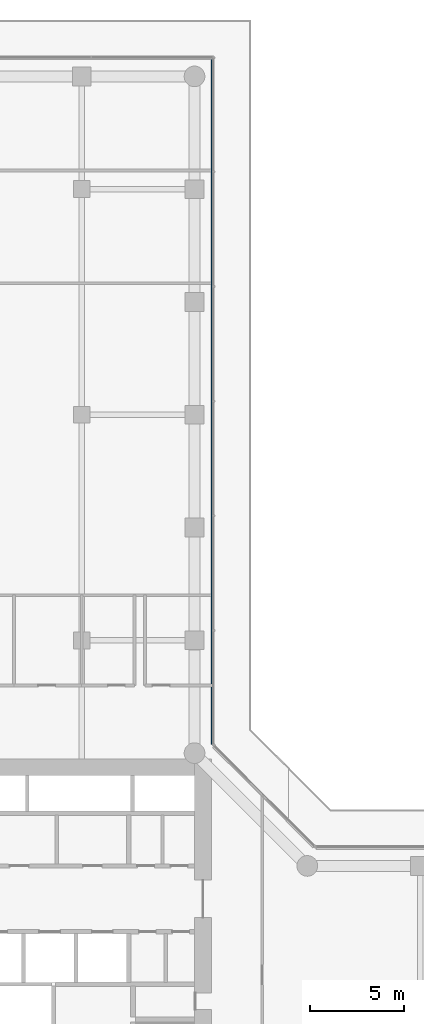
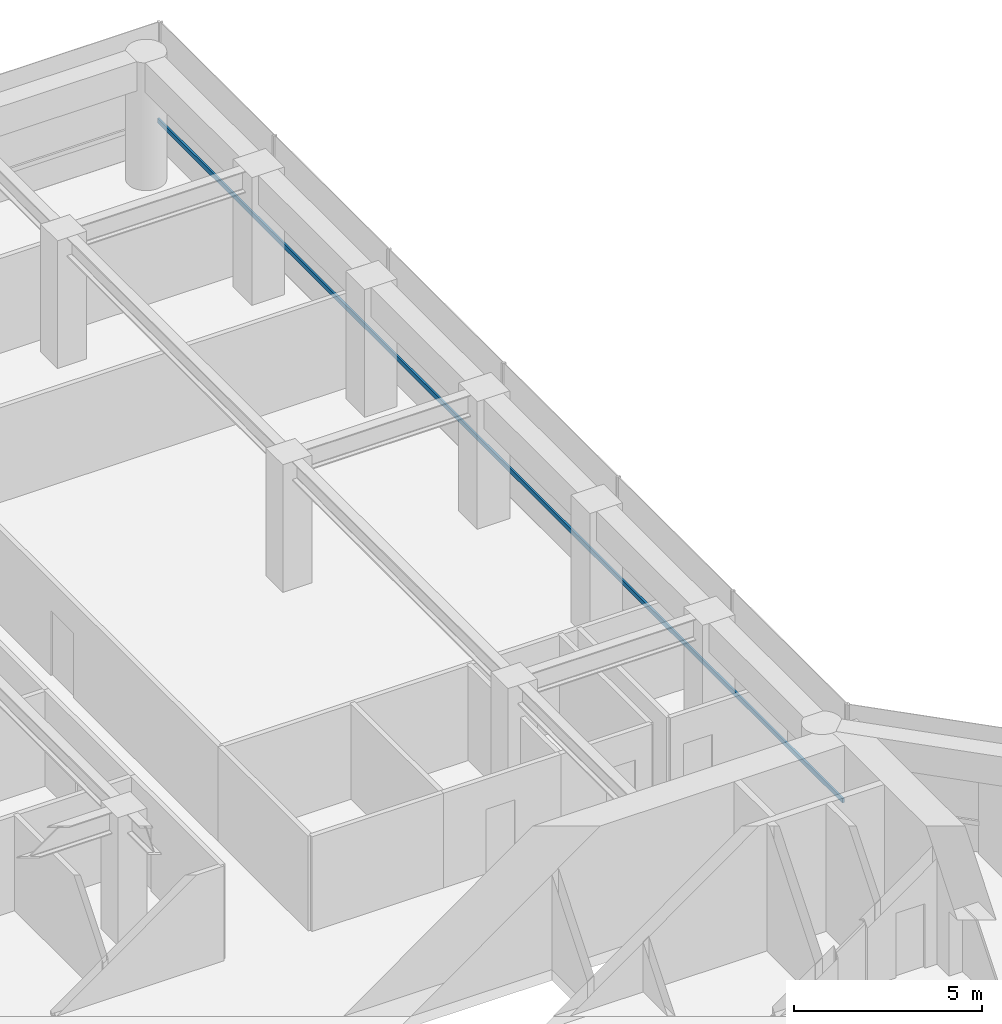
# One storey, part 16 of 24: 1 member, 1 element without a shape of its own.
"""IFC4 building model written with IfcOpenShell, lengths in metres."""

from ifc_helpers import new_model, si_unit, direction, frame, origin, origin_2d, place, context, subcontext, project, spatial, rectangle, extrude, material, layer, layer_set, material_profile, profile_set, type_object, element, aggregate, save


model = new_model("IFC4")

# Units and contexts
model_context = context("Model", 3, precision=1e-05, world=origin(), true_north=direction((0.0, 1.0)))
body_context = subcontext(model_context, "Body", "Model", "MODEL_VIEW")
ifc_project = project(units=[si_unit("LENGTHUNIT", "METRE"), si_unit("AREAUNIT", "SQUARE_METRE"), si_unit("VOLUMEUNIT", "CUBIC_METRE"), si_unit("PLANEANGLEUNIT", "RADIAN"), si_unit("MASSUNIT", "GRAM", prefix="KILO")], contexts=[model_context])

# Site, building, storey
site_placement = place(None, origin())
site = spatial("IfcSite", under=ifc_project, at=site_placement, CompositionType="ELEMENT")
building_placement = place(site_placement, origin())
building = spatial("IfcBuilding", under=site, at=building_placement, Name="Welwitschia Terrace Campus", CompositionType="ELEMENT")
storey_placement = place(building_placement, frame((0.0, 0.0, 24.5)))
storey = spatial("IfcBuildingStorey", under=building, at=storey_placement, Name="L05", CompositionType="ELEMENT", Elevation=24.5)

# Curtain wall, member
ifc_material_1 = material(Name="Bronze anodised aluminium", Category="aluminium")
ifc_layer = layer(ifc_material_1, 0.1201171875)
ifc_layer_set = layer_set([ifc_layer], Name="Bronze anodised aluminium")
curtain_wall_type = type_object("IfcCurtainWallType", Name="Curtain wall CW2 tower 6000", PredefinedType="NOTDEFINED", material=ifc_layer_set)
curtain_wall_placement = place(storey_placement, origin())
curtain_wall = element("IfcCurtainWall", 1, at=curtain_wall_placement, inside=storey, type_object=curtain_wall_type, Name="CW L05.7.0", PredefinedType="NOTDEFINED")
ifc_material_2 = material(Name="Bronze anodised aluminium", Category="aluminium")
ifc_material_profile = material_profile(ifc_material_2, rectangle(XDim=0.06005859375, YDim=0.14990234375, at=origin_2d()))
ifc_profile_set = profile_set([ifc_material_profile], Name="Bronze anodised aluminium")
member_type = type_object("IfcMemberType", Name="Transom 60x150", PredefinedType="USERDEFINED", material=ifc_profile_set)
member_placement = place(storey_placement, frame((24.929931640625, 26.482421875, 1.0), z_axis=(0.0, 1.0, 0.0), x_axis=(-1.0, 0.0, 0.0)))
member = element("IfcMember", 2, at=member_placement, type_object=member_type, Name="Transom L05.7.0", ObjectType="TRANSOM", PredefinedType="USERDEFINED", context=body_context, shape_type="SweptSolid", body=[
    extrude(rectangle(XDim=0.06005859375, YDim=0.14990234375, at=origin_2d()), origin(), (0.0, 0.0, 1.0), 36.4775390625),
])
aggregate(curtain_wall, [member])

save(model, "model.ifc")
